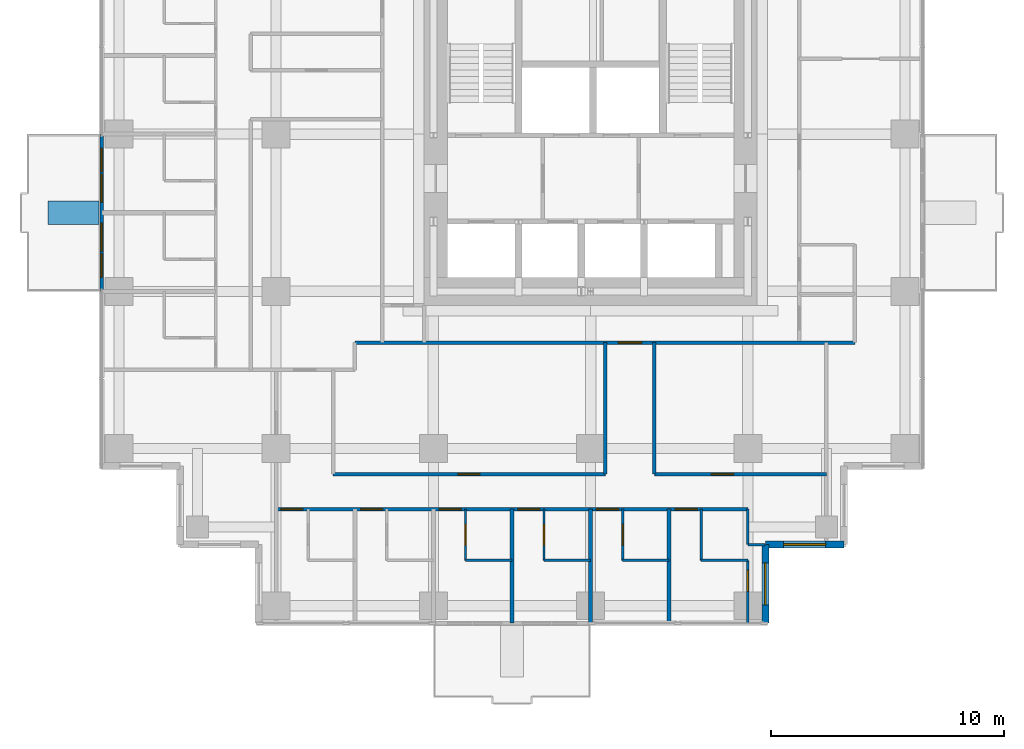
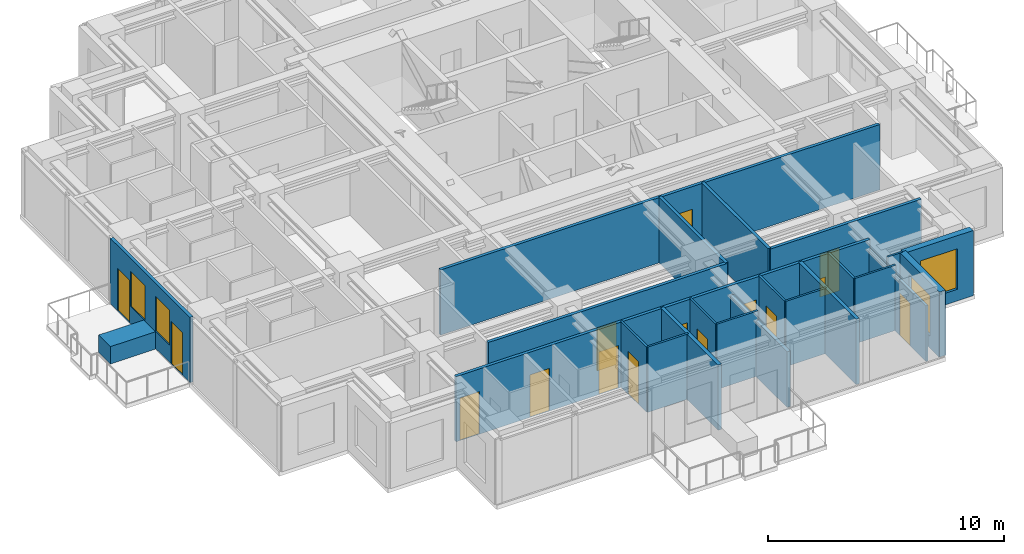
# One storey, part 4 of 8: 24 walls, 15 doors, 4 windows, 19 openings.
"""IFC4 building model written with IfcOpenShell, lengths in metres."""

from ifc_helpers import new_model, si_unit, direction, frame, frame_2d, origin, place, context, subcontext, project, spatial, rectangle, extrude, material, layer, layer_set, type_object, element, fill, save


model = new_model("IFC4")

# Units and contexts
model_context = context("Model", 3, precision=1e-05, world=origin(), true_north=direction((0.0, 1.0)))
body_context = subcontext(model_context, "Body", "Model", "MODEL_VIEW")
ifc_project = project(units=[si_unit("LENGTHUNIT", "METRE"), si_unit("AREAUNIT", "SQUARE_METRE"), si_unit("VOLUMEUNIT", "CUBIC_METRE"), si_unit("PLANEANGLEUNIT", "RADIAN"), si_unit("MASSUNIT", "GRAM", prefix="KILO")], contexts=[model_context])

# Site, building, storey
site_placement = place(None, origin())
site = spatial("IfcSite", under=ifc_project, at=site_placement, CompositionType="ELEMENT")
building_placement = place(site_placement, origin())
building = spatial("IfcBuilding", under=site, at=building_placement, Name="Nyansa Garden Tower", CompositionType="ELEMENT")
storey_placement = place(building_placement, frame((0.0, 0.0, 171.0)))
storey = spatial("IfcBuildingStorey", under=building, at=storey_placement, Name="L46", CompositionType="ELEMENT", Elevation=171.0)

# Walls
ifc_material_1 = material(Name="Dense blockwork, plastered both sides, 55 dB", Category="masonry")
ifc_layer_1 = layer(ifc_material_1, 0.175048828125)
ifc_layer_set_1 = layer_set([ifc_layer_1], Name="Acoustic party wall PW175")
wall_type_1 = type_object("IfcWallType", Name="Acoustic party wall PW175", PredefinedType="PARTITIONING", material=ifc_layer_set_1)
wall_1_placement = place(storey_placement, frame((16.875, -0.73388671875, 0.0), z_axis=(0.0, 0.0, 1.0), x_axis=(0.0, 1.0, 0.0)))
element("IfcWall", 1, at=wall_1_placement, inside=storey, type_object=wall_type_1, Name="Party wall", PredefinedType="PARTITIONING", context=body_context, shape_type="SweptSolid", body=[
    extrude(rectangle(XDim=4.8837890625, YDim=0.175048828125, at=frame_2d((2.44189453125, 0.0))), origin(), (0.0, 0.0, 1.0), 3.375),
])
wall_2_placement = place(storey_placement, frame((20.25, -0.73388671875, 0.0), z_axis=(0.0, 0.0, 1.0), x_axis=(0.0, 1.0, 0.0)))
element("IfcWall", 2, at=wall_2_placement, inside=storey, type_object=wall_type_1, Name="Party wall", PredefinedType="PARTITIONING", context=body_context, shape_type="SweptSolid", body=[
    extrude(rectangle(XDim=4.8837890625, YDim=0.175048828125, at=frame_2d((2.44189453125, 0.0))), origin(), (0.0, 0.0, 1.0), 2.876953125),
])
wall_3_placement = place(storey_placement, frame((23.625, -0.73388671875, 0.0), z_axis=(0.0, 0.0, 1.0), x_axis=(0.0, 1.0, 0.0)))
element("IfcWall", 3, at=wall_3_placement, inside=storey, type_object=wall_type_1, Name="Party wall", PredefinedType="PARTITIONING", context=body_context, shape_type="SweptSolid", body=[
    extrude(rectangle(XDim=4.8837890625, YDim=0.175048828125, at=frame_2d((2.44189453125, 0.0))), origin(), (0.0, 0.0, 1.0), 3.375),
])

# Wall, openings, doors, windows
ifc_material_2 = material(Name="Black aluminium framed glazed screen", Category="aluminium")
ifc_layer_2 = layer(ifc_material_2, 0.14990234375)
ifc_layer_set_2 = layer_set([ifc_layer_2], Name="Balcony screen wall BW150")
wall_type_2 = type_object("IfcWallType", Name="Balcony screen wall BW150", PredefinedType="SOLIDWALL", material=ifc_layer_set_2)
wall_4_placement = place(storey_placement, frame((-0.75, 13.5, 0.0), z_axis=(0.0, 0.0, 1.0), x_axis=(0.0, 1.0, 0.0)))
wall_4 = element("IfcWall", 4, at=wall_4_placement, inside=storey, type_object=wall_type_2, Name="Glazed screen wall L46 W", PredefinedType="SOLIDWALL", context=body_context, shape_type="SweptSolid", body=[
    extrude(rectangle(XDim=6.75, YDim=0.14990234375, at=frame_2d((3.375, 0.0))), origin(), (0.0, 0.0, 1.0), 3.375),
])
opening_1_placement = place(wall_4_placement, frame((0.612548828125, 0.0, 0.0)))
opening_1 = element("IfcOpeningElement", 5, at=opening_1_placement, cuts=wall_4, Name="Opening D20", PredefinedType="OPENING", context=body_context, shape_type="SweptSolid", body=[
    extrude(rectangle(XDim=1.0, YDim=2.199951171875, at=frame_2d((0.5, 1.10009765625))), frame((0.0, 0.0849609375, 0.0), z_axis=(0.0, -1.0, 0.0), x_axis=(1.0, 0.0, 0.0)), (0.0, 0.0, 1.0), 0.169921875),
])
opening_2_placement = place(wall_4_placement, frame((1.72509765625, 0.0, 0.89990234375)))
opening_2 = element("IfcOpeningElement", 6, at=opening_2_placement, cuts=wall_4, Name="Opening W6", PredefinedType="OPENING", context=body_context, shape_type="SweptSolid", body=[
    extrude(rectangle(XDim=1.199951171875, YDim=1.800048828125, at=frame_2d((0.60009765625, 0.89990234375))), frame((0.0, 0.0849609375, 0.0), z_axis=(0.0, -1.0, 0.0), x_axis=(1.0, 0.0, 0.0)), (0.0, 0.0, 1.0), 0.169921875),
])
opening_3_placement = place(wall_4_placement, frame((5.137451171875, 0.0, 0.0)))
opening_3 = element("IfcOpeningElement", 7, at=opening_3_placement, cuts=wall_4, Name="Opening D20", PredefinedType="OPENING", context=body_context, shape_type="SweptSolid", body=[
    extrude(rectangle(XDim=1.0, YDim=2.199951171875, at=frame_2d((0.5, 1.10009765625))), frame((0.0, 0.0849609375, 0.0), z_axis=(0.0, -1.0, 0.0), x_axis=(1.0, 0.0, 0.0)), (0.0, 0.0, 1.0), 0.169921875),
])
opening_4_placement = place(wall_4_placement, frame((3.824951171875, 0.0, 0.89990234375)))
opening_4 = element("IfcOpeningElement", 8, at=opening_4_placement, cuts=wall_4, Name="Opening W6", PredefinedType="OPENING", context=body_context, shape_type="SweptSolid", body=[
    extrude(rectangle(XDim=1.199951171875, YDim=1.800048828125, at=frame_2d((0.60009765625, 0.89990234375))), frame((0.0, 0.0849609375, 0.0), z_axis=(0.0, -1.0, 0.0), x_axis=(1.0, 0.0, 0.0)), (0.0, 0.0, 1.0), 0.169921875),
])
ifc_material_3 = material(Name="Black aluminium framed glazed door", Category="aluminium")
door_type_1 = type_object("IfcDoorType", Name="Balcony door D20 1000x2200", OperationType="NOTDEFINED", PredefinedType="DOOR", material=ifc_material_3)
door_1_placement = place(opening_1_placement, origin())
door_1 = element("IfcDoor", 9, at=door_1_placement, inside=storey, type_object=door_type_1, Name="Balcony door L46", OperationType="SINGLE_SWING_LEFT", OverallHeight=2.199951171875, OverallWidth=1.0, PredefinedType="DOOR", context=body_context, shape_type="SweptSolid", body=[
    extrude(rectangle(XDim=1.0, YDim=2.199951171875, at=frame_2d((0.5, 1.10009765625))), frame((0.0, 0.02490234375, 0.0), z_axis=(0.0, -1.0, 0.0), x_axis=(1.0, 0.0, 0.0)), (0.0, 0.0, 1.0), 0.050048828125),
])
fill(opening_1, door_1)
door_2_placement = place(opening_3_placement, origin())
door_2 = element("IfcDoor", 10, at=door_2_placement, inside=storey, type_object=door_type_1, Name="Balcony door L46", OperationType="SINGLE_SWING_RIGHT", OverallHeight=2.199951171875, OverallWidth=1.0, PredefinedType="DOOR", context=body_context, shape_type="SweptSolid", body=[
    extrude(rectangle(XDim=1.0, YDim=2.199951171875, at=frame_2d((0.5, 1.10009765625))), frame((0.0, 0.02490234375, 0.0), z_axis=(0.0, -1.0, 0.0), x_axis=(1.0, 0.0, 0.0)), (0.0, 0.0, 1.0), 0.050048828125),
])
fill(opening_3, door_2)
ifc_material_4 = material(Name="Black aluminium frame, dark tinted double glazing", Category="aluminium")
window_type_1 = type_object("IfcWindowType", Name="Balcony window W6 1200x1800", PartitioningType="SINGLE_PANEL", PredefinedType="WINDOW", material=ifc_material_4)
window_1_placement = place(opening_2_placement, origin())
window_1 = element("IfcWindow", 11, at=window_1_placement, inside=storey, type_object=window_type_1, Name="Window L46", OverallHeight=1.800048828125, OverallWidth=1.199951171875, PartitioningType="SINGLE_PANEL", PredefinedType="WINDOW", context=body_context, shape_type="SweptSolid", body=[
    extrude(rectangle(XDim=1.199951171875, YDim=1.800048828125, at=frame_2d((0.60009765625, 0.89990234375))), frame((0.0, 0.030029296875, 0.0), z_axis=(0.0, -1.0, 0.0), x_axis=(1.0, 0.0, 0.0)), (0.0, 0.0, 1.0), 0.06005859375),
])
fill(opening_2, window_1)
window_2_placement = place(opening_4_placement, origin())
window_2 = element("IfcWindow", 12, at=window_2_placement, inside=storey, type_object=window_type_1, Name="Window L46", OverallHeight=1.800048828125, OverallWidth=1.199951171875, PartitioningType="SINGLE_PANEL", PredefinedType="WINDOW", context=body_context, shape_type="SweptSolid", body=[
    extrude(rectangle(XDim=1.199951171875, YDim=1.800048828125, at=frame_2d((0.60009765625, 0.89990234375))), frame((0.0, 0.030029296875, 0.0), z_axis=(0.0, -1.0, 0.0), x_axis=(1.0, 0.0, 0.0)), (0.0, 0.0, 1.0), 0.06005859375),
])
fill(opening_4, window_2)

# Wall, openings, doors
ifc_material_5 = material(Name="Blockwork, plastered both sides", Category="masonry")
ifc_layer_3 = layer(ifc_material_5, 0.14990234375)
ifc_layer_set_3 = layer_set([ifc_layer_3], Name="Partition PW150")
wall_type_3 = type_object("IfcWallType", Name="Partition PW150", PredefinedType="PARTITIONING", material=ifc_layer_set_3)
wall_5_placement = place(storey_placement, frame((6.75, 4.14990234375, 0.0), z_axis=(0.0, 0.0, 1.0), x_axis=(1.0, 0.0, 0.0)))
wall_5 = element("IfcWall", 13, at=wall_5_placement, inside=storey, type_object=wall_type_3, Name="Partition", PredefinedType="PARTITIONING", context=body_context, shape_type="SweptSolid", body=[
    extrude(rectangle(XDim=20.25, YDim=0.14990234375, at=frame_2d((10.125, 0.0))), origin(), (0.0, 0.0, 1.0), 3.375),
])
opening_5_placement = place(wall_5_placement, frame((0.199951171875, 0.0, 0.0)))
opening_5 = element("IfcOpeningElement", 14, at=opening_5_placement, cuts=wall_5, Name="Opening D01", PredefinedType="OPENING", context=body_context, shape_type="SweptSolid", body=[
    extrude(rectangle(XDim=0.949951171875, YDim=2.199951171875, at=frame_2d((0.47509765625, 1.10009765625))), frame((0.0, 0.0849609375, 0.0), z_axis=(0.0, -1.0, 0.0), x_axis=(1.0, 0.0, 0.0)), (0.0, 0.0, 1.0), 0.169921875),
])
opening_6_placement = place(wall_5_placement, frame((3.625, 0.0, 0.0)))
opening_6 = element("IfcOpeningElement", 15, at=opening_6_placement, cuts=wall_5, Name="Opening D01", PredefinedType="OPENING", context=body_context, shape_type="SweptSolid", body=[
    extrude(rectangle(XDim=0.949951171875, YDim=2.199951171875, at=frame_2d((0.47509765625, 1.10009765625))), frame((0.0, 0.0849609375, 0.0), z_axis=(0.0, -1.0, 0.0), x_axis=(1.0, 0.0, 0.0)), (0.0, 0.0, 1.0), 0.169921875),
])
opening_7_placement = place(wall_5_placement, frame((7.0, 0.0, 0.0)))
opening_7 = element("IfcOpeningElement", 16, at=opening_7_placement, cuts=wall_5, Name="Opening D01", PredefinedType="OPENING", context=body_context, shape_type="SweptSolid", body=[
    extrude(rectangle(XDim=0.949951171875, YDim=2.199951171875, at=frame_2d((0.47509765625, 1.10009765625))), frame((0.0, 0.0849609375, 0.0), z_axis=(0.0, -1.0, 0.0), x_axis=(1.0, 0.0, 0.0)), (0.0, 0.0, 1.0), 0.169921875),
])
opening_8_placement = place(wall_5_placement, frame((10.375, 0.0, 0.0)))
opening_8 = element("IfcOpeningElement", 17, at=opening_8_placement, cuts=wall_5, Name="Opening D01", PredefinedType="OPENING", context=body_context, shape_type="SweptSolid", body=[
    extrude(rectangle(XDim=0.949951171875, YDim=2.199951171875, at=frame_2d((0.47509765625, 1.10009765625))), frame((0.0, 0.0849609375, 0.0), z_axis=(0.0, -1.0, 0.0), x_axis=(1.0, 0.0, 0.0)), (0.0, 0.0, 1.0), 0.169921875),
])
opening_9_placement = place(wall_5_placement, frame((13.75, 0.0, 0.0)))
opening_9 = element("IfcOpeningElement", 18, at=opening_9_placement, cuts=wall_5, Name="Opening D01", PredefinedType="OPENING", context=body_context, shape_type="SweptSolid", body=[
    extrude(rectangle(XDim=0.949951171875, YDim=2.199951171875, at=frame_2d((0.47509765625, 1.10009765625))), frame((0.0, 0.0849609375, 0.0), z_axis=(0.0, -1.0, 0.0), x_axis=(1.0, 0.0, 0.0)), (0.0, 0.0, 1.0), 0.169921875),
])
opening_10_placement = place(wall_5_placement, frame((17.125, 0.0, 0.0)))
opening_10 = element("IfcOpeningElement", 19, at=opening_10_placement, cuts=wall_5, Name="Opening D01", PredefinedType="OPENING", context=body_context, shape_type="SweptSolid", body=[
    extrude(rectangle(XDim=0.949951171875, YDim=2.199951171875, at=frame_2d((0.47509765625, 1.10009765625))), frame((0.0, 0.0849609375, 0.0), z_axis=(0.0, -1.0, 0.0), x_axis=(1.0, 0.0, 0.0)), (0.0, 0.0, 1.0), 0.169921875),
])
ifc_material_6 = material(Name="Timber flush door, 30 minute fire resisting", Category="wood")
door_type_2 = type_object("IfcDoorType", Name="Bedroom door D01 950x2200", OperationType="SINGLE_SWING_LEFT", PredefinedType="DOOR", material=ifc_material_6)
door_3_placement = place(opening_5_placement, origin())
door_3 = element("IfcDoor", 20, at=door_3_placement, inside=storey, type_object=door_type_2, Name="Door L46-017", OperationType="SINGLE_SWING_LEFT", OverallHeight=2.199951171875, OverallWidth=0.949951171875, PredefinedType="DOOR", context=body_context, shape_type="SweptSolid", body=[
    extrude(rectangle(XDim=0.949951171875, YDim=2.199951171875, at=frame_2d((0.47509765625, 1.10009765625))), frame((0.0, 0.02490234375, 0.0), z_axis=(0.0, -1.0, 0.0), x_axis=(1.0, 0.0, 0.0)), (0.0, 0.0, 1.0), 0.050048828125),
])
fill(opening_5, door_3)
door_4_placement = place(opening_6_placement, origin())
door_4 = element("IfcDoor", 21, at=door_4_placement, inside=storey, type_object=door_type_2, Name="Door L46-019", OperationType="SINGLE_SWING_LEFT", OverallHeight=2.199951171875, OverallWidth=0.949951171875, PredefinedType="DOOR", context=body_context, shape_type="SweptSolid", body=[
    extrude(rectangle(XDim=0.949951171875, YDim=2.199951171875, at=frame_2d((0.47509765625, 1.10009765625))), frame((0.0, 0.02490234375, 0.0), z_axis=(0.0, -1.0, 0.0), x_axis=(1.0, 0.0, 0.0)), (0.0, 0.0, 1.0), 0.050048828125),
])
fill(opening_6, door_4)
door_5_placement = place(opening_7_placement, origin())
door_5 = element("IfcDoor", 22, at=door_5_placement, inside=storey, type_object=door_type_2, Name="Door L46-021", OperationType="SINGLE_SWING_LEFT", OverallHeight=2.199951171875, OverallWidth=0.949951171875, PredefinedType="DOOR", context=body_context, shape_type="SweptSolid", body=[
    extrude(rectangle(XDim=0.949951171875, YDim=2.199951171875, at=frame_2d((0.47509765625, 1.10009765625))), frame((0.0, 0.02490234375, 0.0), z_axis=(0.0, -1.0, 0.0), x_axis=(1.0, 0.0, 0.0)), (0.0, 0.0, 1.0), 0.050048828125),
])
fill(opening_7, door_5)
door_6_placement = place(opening_8_placement, origin())
door_6 = element("IfcDoor", 23, at=door_6_placement, inside=storey, type_object=door_type_2, Name="Door L46-023", OperationType="SINGLE_SWING_LEFT", OverallHeight=2.199951171875, OverallWidth=0.949951171875, PredefinedType="DOOR", context=body_context, shape_type="SweptSolid", body=[
    extrude(rectangle(XDim=0.949951171875, YDim=2.199951171875, at=frame_2d((0.47509765625, 1.10009765625))), frame((0.0, 0.02490234375, 0.0), z_axis=(0.0, -1.0, 0.0), x_axis=(1.0, 0.0, 0.0)), (0.0, 0.0, 1.0), 0.050048828125),
])
fill(opening_8, door_6)
door_7_placement = place(opening_9_placement, origin())
door_7 = element("IfcDoor", 24, at=door_7_placement, inside=storey, type_object=door_type_2, Name="Door L46-025", OperationType="SINGLE_SWING_LEFT", OverallHeight=2.199951171875, OverallWidth=0.949951171875, PredefinedType="DOOR", context=body_context, shape_type="SweptSolid", body=[
    extrude(rectangle(XDim=0.949951171875, YDim=2.199951171875, at=frame_2d((0.47509765625, 1.10009765625))), frame((0.0, 0.02490234375, 0.0), z_axis=(0.0, -1.0, 0.0), x_axis=(1.0, 0.0, 0.0)), (0.0, 0.0, 1.0), 0.050048828125),
])
fill(opening_9, door_7)
door_8_placement = place(opening_10_placement, origin())
door_8 = element("IfcDoor", 25, at=door_8_placement, inside=storey, type_object=door_type_2, Name="Door L46-027", OperationType="SINGLE_SWING_LEFT", OverallHeight=2.199951171875, OverallWidth=0.949951171875, PredefinedType="DOOR", context=body_context, shape_type="SweptSolid", body=[
    extrude(rectangle(XDim=0.949951171875, YDim=2.199951171875, at=frame_2d((0.47509765625, 1.10009765625))), frame((0.0, 0.02490234375, 0.0), z_axis=(0.0, -1.0, 0.0), x_axis=(1.0, 0.0, 0.0)), (0.0, 0.0, 1.0), 0.050048828125),
])
fill(opening_10, door_8)

# Wall, opening, door
wall_6_placement = place(storey_placement, frame((9.199951171875, 5.64990234375, 0.0), z_axis=(0.0, 0.0, 1.0), x_axis=(1.0, 0.0, 0.0)))
wall_6 = element("IfcWall", 26, at=wall_6_placement, inside=storey, type_object=wall_type_3, Name="Partition", PredefinedType="PARTITIONING", context=body_context, shape_type="SweptSolid", body=[
    extrude(rectangle(XDim=11.6875, YDim=0.14990234375, at=frame_2d((5.84375, 0.0))), origin(), (0.0, 0.0, 1.0), 3.375),
])
opening_11_placement = place(wall_6_placement, frame((5.35009765625, 0.0, 0.0)))
opening_11 = element("IfcOpeningElement", 27, at=opening_11_placement, cuts=wall_6, Name="Opening D01", PredefinedType="OPENING", context=body_context, shape_type="SweptSolid", body=[
    extrude(rectangle(XDim=0.949951171875, YDim=2.199951171875, at=frame_2d((0.47509765625, 1.10009765625))), frame((0.0, 0.0849609375, 0.0), z_axis=(0.0, -1.0, 0.0), x_axis=(1.0, 0.0, 0.0)), (0.0, 0.0, 1.0), 0.169921875),
])
door_9_placement = place(opening_11_placement, origin())
door_9 = element("IfcDoor", 28, at=door_9_placement, inside=storey, type_object=door_type_2, Name="Door L46-031", OperationType="SINGLE_SWING_LEFT", OverallHeight=2.199951171875, OverallWidth=0.949951171875, PredefinedType="DOOR", context=body_context, shape_type="SweptSolid", body=[
    extrude(rectangle(XDim=0.949951171875, YDim=2.199951171875, at=frame_2d((0.47509765625, 1.10009765625))), frame((0.0, 0.02490234375, 0.0), z_axis=(0.0, -1.0, 0.0), x_axis=(1.0, 0.0, 0.0)), (0.0, 0.0, 1.0), 0.050048828125),
])
fill(opening_11, door_9)

wall_7_placement = place(storey_placement, frame((10.125, 11.300048828125, 0.0), z_axis=(0.0, 0.0, 1.0), x_axis=(1.0, 0.0, 0.0)))
wall_7 = element("IfcWall", 29, at=wall_7_placement, inside=storey, type_object=wall_type_3, Name="Partition", PredefinedType="PARTITIONING", context=body_context, shape_type="SweptSolid", body=[
    extrude(rectangle(XDim=21.47509765625, YDim=0.14990234375, at=frame_2d((10.737548828125, 0.0))), origin(), (0.0, 0.0, 1.0), 3.375),
])
opening_12_placement = place(wall_7_placement, frame((11.3125, 0.0, 0.0)))
opening_12 = element("IfcOpeningElement", 30, at=opening_12_placement, cuts=wall_7, Name="Opening D03", PredefinedType="OPENING", context=body_context, shape_type="SweptSolid", body=[
    extrude(rectangle(XDim=1.0, YDim=2.199951171875, at=frame_2d((0.5, 1.10009765625))), frame((0.0, 0.0849609375, 0.0), z_axis=(0.0, -1.0, 0.0), x_axis=(1.0, 0.0, 0.0)), (0.0, 0.0, 1.0), 0.169921875),
])
ifc_material_7 = material(Name="Timber flush door, 60 minute fire resisting", Category="wood")
door_type_3 = type_object("IfcDoorType", Name="Cluster entrance door D03 1000x2200", OperationType="SINGLE_SWING_LEFT", PredefinedType="DOOR", material=ifc_material_7)
door_10_placement = place(opening_12_placement, origin())
door_10 = element("IfcDoor", 31, at=door_10_placement, inside=storey, type_object=door_type_3, Name="Door L46-030", OperationType="SINGLE_SWING_LEFT", OverallHeight=2.199951171875, OverallWidth=1.0, PredefinedType="DOOR", context=body_context, shape_type="SweptSolid", body=[
    extrude(rectangle(XDim=1.0, YDim=2.199951171875, at=frame_2d((0.5, 1.10009765625))), frame((0.0, 0.02490234375, 0.0), z_axis=(0.0, -1.0, 0.0), x_axis=(1.0, 0.0, 0.0)), (0.0, 0.0, 1.0), 0.050048828125),
])
fill(opening_12, door_10)

# Wall
wall_8_placement = place(storey_placement, frame((20.886962890625, 5.64990234375, 0.0), z_axis=(0.0, 0.0, 1.0), x_axis=(0.0, 1.0, 0.0)))
element("IfcWall", 32, at=wall_8_placement, inside=storey, type_object=wall_type_3, Name="Partition", PredefinedType="PARTITIONING", context=body_context, shape_type="SweptSolid", body=[
    extrude(rectangle(XDim=5.650146484375, YDim=0.14990234375, at=frame_2d((2.8251953125, 0.0))), origin(), (0.0, 0.0, 1.0), 3.375),
])

# Wall, opening, door
wall_9_placement = place(storey_placement, frame((22.987548828125, 5.64990234375, 0.0), z_axis=(0.0, 0.0, 1.0), x_axis=(1.0, 0.0, 0.0)))
wall_9 = element("IfcWall", 33, at=wall_9_placement, inside=storey, type_object=wall_type_3, Name="Partition", PredefinedType="PARTITIONING", context=body_context, shape_type="SweptSolid", body=[
    extrude(rectangle(XDim=7.387451171875, YDim=0.14990234375, at=frame_2d((3.69384765625, 0.0))), origin(), (0.0, 0.0, 1.0), 3.375),
])
opening_13_placement = place(wall_9_placement, frame((2.449951171875, 0.0, 0.0)))
opening_13 = element("IfcOpeningElement", 34, at=opening_13_placement, cuts=wall_9, Name="Opening D01", PredefinedType="OPENING", context=body_context, shape_type="SweptSolid", body=[
    extrude(rectangle(XDim=0.949951171875, YDim=2.199951171875, at=frame_2d((0.47509765625, 1.10009765625))), frame((0.0, 0.0849609375, 0.0), z_axis=(0.0, -1.0, 0.0), x_axis=(1.0, 0.0, 0.0)), (0.0, 0.0, 1.0), 0.169921875),
])
door_11_placement = place(opening_13_placement, origin())
door_11 = element("IfcDoor", 35, at=door_11_placement, inside=storey, type_object=door_type_2, Name="Door L46-032", OperationType="SINGLE_SWING_LEFT", OverallHeight=2.199951171875, OverallWidth=0.949951171875, PredefinedType="DOOR", context=body_context, shape_type="SweptSolid", body=[
    extrude(rectangle(XDim=0.949951171875, YDim=2.199951171875, at=frame_2d((0.47509765625, 1.10009765625))), frame((0.0, 0.02490234375, 0.0), z_axis=(0.0, -1.0, 0.0), x_axis=(1.0, 0.0, 0.0)), (0.0, 0.0, 1.0), 0.050048828125),
])
fill(opening_13, door_11)

# Wall
wall_10_placement = place(storey_placement, frame((22.988037109375, 5.64990234375, 0.0), z_axis=(0.0, 0.0, 1.0), x_axis=(0.0, 1.0, 0.0)))
element("IfcWall", 36, at=wall_10_placement, inside=storey, type_object=wall_type_3, Name="Partition", PredefinedType="PARTITIONING", context=body_context, shape_type="SweptSolid", body=[
    extrude(rectangle(XDim=5.650146484375, YDim=0.14990234375, at=frame_2d((2.8251953125, 0.0))), origin(), (0.0, 0.0, 1.0), 3.375),
])

# Wall, opening, window
ifc_material_8 = material(Name="Turquoise glazed tile on concrete blockwork", Category="masonry")
ifc_layer_4 = layer(ifc_material_8, 0.300048828125)
ifc_layer_set_4 = layer_set([ifc_layer_4], Name="Tiled corner wall TW300")
wall_type_4 = type_object("IfcWallType", Name="Tiled corner wall TW300", PredefinedType="SOLIDWALL", material=ifc_layer_set_4)
wall_11_placement = place(storey_placement, frame((27.75, -0.75, 0.0), z_axis=(0.0, 0.0, 1.0), x_axis=(0.0, 1.0, 0.0)))
wall_11 = element("IfcWall", 37, at=wall_11_placement, inside=storey, type_object=wall_type_4, Name="Tiled corner wall L46", PredefinedType="SOLIDWALL", context=body_context, shape_type="SweptSolid", body=[
    extrude(rectangle(XDim=3.375, YDim=0.300048828125, at=frame_2d((1.6875, 0.0))), origin(), (0.0, 0.0, 1.0), 3.375),
])
opening_14_placement = place(wall_11_placement, frame((0.78759765625, 0.0, 0.60009765625)))
opening_14 = element("IfcOpeningElement", 38, at=opening_14_placement, cuts=wall_11, Name="Opening W2", PredefinedType="OPENING", context=body_context, shape_type="SweptSolid", body=[
    extrude(rectangle(XDim=1.800048828125, YDim=2.10009765625, at=frame_2d((0.89990234375, 1.050048828125))), frame((0.0, 0.159912109375, 0.0), z_axis=(0.0, -1.0, 0.0), x_axis=(1.0, 0.0, 0.0)), (0.0, 0.0, 1.0), 0.320068359375),
])
ifc_material_9 = material(Name="Black aluminium frame, dark tinted double glazing", Category="aluminium")
window_type_2 = type_object("IfcWindowType", Name="Window W2 1800x2100", PartitioningType="SINGLE_PANEL", PredefinedType="WINDOW", material=ifc_material_9)
window_3_placement = place(opening_14_placement, origin())
window_3 = element("IfcWindow", 39, at=window_3_placement, inside=storey, type_object=window_type_2, Name="Corner window L46", OverallHeight=2.10009765625, OverallWidth=1.800048828125, PartitioningType="SINGLE_PANEL", PredefinedType="WINDOW", context=body_context, shape_type="SweptSolid", body=[
    extrude(rectangle(XDim=1.800048828125, YDim=2.10009765625, at=frame_2d((0.89990234375, 1.050048828125))), frame((0.0, 0.030029296875, 0.0), z_axis=(0.0, -1.0, 0.0), x_axis=(1.0, 0.0, 0.0)), (0.0, 0.0, 1.0), 0.06005859375),
])
fill(opening_14, window_3)

wall_12_placement = place(storey_placement, frame((27.75, 2.625, 0.0), z_axis=(0.0, 0.0, 1.0), x_axis=(1.0, 0.0, 0.0)))
wall_12 = element("IfcWall", 40, at=wall_12_placement, inside=storey, type_object=wall_type_4, Name="Tiled corner wall L46", PredefinedType="SOLIDWALL", context=body_context, shape_type="SweptSolid", body=[
    extrude(rectangle(XDim=3.375, YDim=0.300048828125, at=frame_2d((1.6875, 0.0))), origin(), (0.0, 0.0, 1.0), 3.375),
])
opening_15_placement = place(wall_12_placement, frame((0.78759765625, 0.0, 0.60009765625)))
opening_15 = element("IfcOpeningElement", 41, at=opening_15_placement, cuts=wall_12, Name="Opening W2", PredefinedType="OPENING", context=body_context, shape_type="SweptSolid", body=[
    extrude(rectangle(XDim=1.800048828125, YDim=2.10009765625, at=frame_2d((0.89990234375, 1.050048828125))), frame((0.0, 0.159912109375, 0.0), z_axis=(0.0, -1.0, 0.0), x_axis=(1.0, 0.0, 0.0)), (0.0, 0.0, 1.0), 0.320068359375),
])
window_4_placement = place(opening_15_placement, origin())
window_4 = element("IfcWindow", 42, at=window_4_placement, inside=storey, type_object=window_type_2, Name="Corner window L46", OverallHeight=2.10009765625, OverallWidth=1.800048828125, PartitioningType="SINGLE_PANEL", PredefinedType="WINDOW", context=body_context, shape_type="SweptSolid", body=[
    extrude(rectangle(XDim=1.800048828125, YDim=2.10009765625, at=frame_2d((0.89990234375, 1.050048828125))), frame((0.0, 0.030029296875, 0.0), z_axis=(0.0, -1.0, 0.0), x_axis=(1.0, 0.0, 0.0)), (0.0, 0.0, 1.0), 0.06005859375),
])
fill(opening_15, window_4)

# Wall
ifc_material_10 = material(Name="Concrete C40/50 planter, waterproofed", Category="concrete")
ifc_layer_5 = layer(ifc_material_10, 1.0)
ifc_layer_set_5 = layer_set([ifc_layer_5], Name="Tree planter TP1")
wall_type_5 = type_object("IfcWallType", Name="Tree planter TP1", PredefinedType="USERDEFINED", material=ifc_layer_set_5)
wall_13_placement = place(storey_placement, frame((-0.85009765625, 16.875, 0.0), z_axis=(0.0, 0.0, 1.0), x_axis=(-1.0, 0.0, 0.0)))
element("IfcWall", 43, at=wall_13_placement, inside=storey, type_object=wall_type_5, Name="Tree planter L46", ObjectType="TREE PLANTER", PredefinedType="USERDEFINED", context=body_context, shape_type="SweptSolid", body=[
    extrude(rectangle(XDim=2.199951171875, YDim=1.0, at=frame_2d((1.10009765625, 0.0))), origin(), (0.0, 0.0, 1.0), 0.89990234375),
])

# Wall, opening, door
ifc_material_11 = material(Name="Moisture resistant board on steel studs, tiled", Category="steel")
ifc_layer_6 = layer(ifc_material_11, 0.10009765625)
ifc_layer_set_6 = layer_set([ifc_layer_6], Name="Wet wall PW100")
wall_type_6 = type_object("IfcWallType", Name="Wet wall PW100", PredefinedType="PARTITIONING", material=ifc_layer_set_6)
wall_14_placement = place(storey_placement, frame((14.875, 1.949951171875, 0.0), z_axis=(0.0, 0.0, 1.0), x_axis=(0.0, 1.0, 0.0)))
wall_14 = element("IfcWall", 44, at=wall_14_placement, inside=storey, type_object=wall_type_6, Name="Wet wall", PredefinedType="PARTITIONING", context=body_context, shape_type="SweptSolid", body=[
    extrude(rectangle(XDim=2.199951171875, YDim=0.10009765625, at=frame_2d((1.10009765625, 0.0))), origin(), (0.0, 0.0, 1.0), 3.375),
])
opening_16_placement = place(wall_14_placement, frame((0.64990234375, 0.0, 0.0)))
opening_16 = element("IfcOpeningElement", 45, at=opening_16_placement, cuts=wall_14, Name="Opening D02", PredefinedType="OPENING", context=body_context, shape_type="SweptSolid", body=[
    extrude(rectangle(XDim=0.89990234375, YDim=2.199951171875, at=frame_2d((0.449951171875, 1.10009765625))), frame((0.0, 0.06005859375, 0.0), z_axis=(0.0, -1.0, 0.0), x_axis=(1.0, 0.0, 0.0)), (0.0, 0.0, 1.0), 0.1201171875),
])
ifc_material_12 = material(Name="Timber flush door", Category="wood")
door_type_4 = type_object("IfcDoorType", Name="En-suite door D02 900x2200", OperationType="SINGLE_SWING_RIGHT", PredefinedType="DOOR", material=ifc_material_12)
door_12_placement = place(opening_16_placement, origin())
door_12 = element("IfcDoor", 46, at=door_12_placement, inside=storey, type_object=door_type_4, Name="Door L46-022", OperationType="SINGLE_SWING_RIGHT", OverallHeight=2.199951171875, OverallWidth=0.89990234375, PredefinedType="DOOR", context=body_context, shape_type="SweptSolid", body=[
    extrude(rectangle(XDim=0.89990234375, YDim=2.199951171875, at=frame_2d((0.449951171875, 1.10009765625))), frame((0.0, 0.02490234375, 0.0), z_axis=(0.0, -1.0, 0.0), x_axis=(1.0, 0.0, 0.0)), (0.0, 0.0, 1.0), 0.050048828125),
])
fill(opening_16, door_12)

# Wall
wall_15_placement = place(storey_placement, frame((14.875, 1.949951171875, 0.0), z_axis=(0.0, 0.0, 1.0), x_axis=(1.0, 0.0, 0.0)))
element("IfcWall", 47, at=wall_15_placement, inside=storey, type_object=wall_type_6, Name="Wet wall", PredefinedType="PARTITIONING", context=body_context, shape_type="SweptSolid", body=[
    extrude(rectangle(XDim=2.0, YDim=0.10009765625, at=frame_2d((1.0, 0.0))), origin(), (0.0, 0.0, 1.0), 3.375),
])

# Wall, opening, door
wall_16_placement = place(storey_placement, frame((18.25, 1.949951171875, 0.0), z_axis=(0.0, 0.0, 1.0), x_axis=(0.0, 1.0, 0.0)))
wall_16 = element("IfcWall", 48, at=wall_16_placement, inside=storey, type_object=wall_type_6, Name="Wet wall", PredefinedType="PARTITIONING", context=body_context, shape_type="SweptSolid", body=[
    extrude(rectangle(XDim=2.199951171875, YDim=0.10009765625, at=frame_2d((1.10009765625, 0.0))), origin(), (0.0, 0.0, 1.0), 3.375),
])
opening_17_placement = place(wall_16_placement, frame((0.64990234375, 0.0, 0.0)))
opening_17 = element("IfcOpeningElement", 49, at=opening_17_placement, cuts=wall_16, Name="Opening D02", PredefinedType="OPENING", context=body_context, shape_type="SweptSolid", body=[
    extrude(rectangle(XDim=0.89990234375, YDim=2.199951171875, at=frame_2d((0.449951171875, 1.10009765625))), frame((0.0, 0.06005859375, 0.0), z_axis=(0.0, -1.0, 0.0), x_axis=(1.0, 0.0, 0.0)), (0.0, 0.0, 1.0), 0.1201171875),
])
door_13_placement = place(opening_17_placement, origin())
door_13 = element("IfcDoor", 50, at=door_13_placement, inside=storey, type_object=door_type_4, Name="Door L46-024", OperationType="SINGLE_SWING_RIGHT", OverallHeight=2.199951171875, OverallWidth=0.89990234375, PredefinedType="DOOR", context=body_context, shape_type="SweptSolid", body=[
    extrude(rectangle(XDim=0.89990234375, YDim=2.199951171875, at=frame_2d((0.449951171875, 1.10009765625))), frame((0.0, 0.02490234375, 0.0), z_axis=(0.0, -1.0, 0.0), x_axis=(1.0, 0.0, 0.0)), (0.0, 0.0, 1.0), 0.050048828125),
])
fill(opening_17, door_13)

# Wall
wall_17_placement = place(storey_placement, frame((18.25, 1.949951171875, 0.0), z_axis=(0.0, 0.0, 1.0), x_axis=(1.0, 0.0, 0.0)))
element("IfcWall", 51, at=wall_17_placement, inside=storey, type_object=wall_type_6, Name="Wet wall", PredefinedType="PARTITIONING", context=body_context, shape_type="SweptSolid", body=[
    extrude(rectangle(XDim=2.0, YDim=0.10009765625, at=frame_2d((1.0, 0.0))), origin(), (0.0, 0.0, 1.0), 3.375),
])

# Wall, opening, door
wall_18_placement = place(storey_placement, frame((21.625, 1.949951171875, 0.0), z_axis=(0.0, 0.0, 1.0), x_axis=(0.0, 1.0, 0.0)))
wall_18 = element("IfcWall", 52, at=wall_18_placement, inside=storey, type_object=wall_type_6, Name="Wet wall", PredefinedType="PARTITIONING", context=body_context, shape_type="SweptSolid", body=[
    extrude(rectangle(XDim=2.199951171875, YDim=0.10009765625, at=frame_2d((1.10009765625, 0.0))), origin(), (0.0, 0.0, 1.0), 3.375),
])
opening_18_placement = place(wall_18_placement, frame((0.64990234375, 0.0, 0.0)))
opening_18 = element("IfcOpeningElement", 53, at=opening_18_placement, cuts=wall_18, Name="Opening D02", PredefinedType="OPENING", context=body_context, shape_type="SweptSolid", body=[
    extrude(rectangle(XDim=0.89990234375, YDim=2.199951171875, at=frame_2d((0.449951171875, 1.10009765625))), frame((0.0, 0.06005859375, 0.0), z_axis=(0.0, -1.0, 0.0), x_axis=(1.0, 0.0, 0.0)), (0.0, 0.0, 1.0), 0.1201171875),
])
door_14_placement = place(opening_18_placement, origin())
door_14 = element("IfcDoor", 54, at=door_14_placement, inside=storey, type_object=door_type_4, Name="Door L46-026", OperationType="SINGLE_SWING_RIGHT", OverallHeight=2.199951171875, OverallWidth=0.89990234375, PredefinedType="DOOR", context=body_context, shape_type="SweptSolid", body=[
    extrude(rectangle(XDim=0.89990234375, YDim=2.199951171875, at=frame_2d((0.449951171875, 1.10009765625))), frame((0.0, 0.02490234375, 0.0), z_axis=(0.0, -1.0, 0.0), x_axis=(1.0, 0.0, 0.0)), (0.0, 0.0, 1.0), 0.050048828125),
])
fill(opening_18, door_14)

# Walls
wall_19_placement = place(storey_placement, frame((21.625, 1.949951171875, 0.0), z_axis=(0.0, 0.0, 1.0), x_axis=(1.0, 0.0, 0.0)))
element("IfcWall", 55, at=wall_19_placement, inside=storey, type_object=wall_type_6, Name="Wet wall", PredefinedType="PARTITIONING", context=body_context, shape_type="SweptSolid", body=[
    extrude(rectangle(XDim=2.0, YDim=0.10009765625, at=frame_2d((1.0, 0.0))), origin(), (0.0, 0.0, 1.0), 3.375),
])
wall_20_placement = place(storey_placement, frame((25.0, 1.949951171875, 0.0), z_axis=(0.0, 0.0, 1.0), x_axis=(0.0, 1.0, 0.0)))
element("IfcWall", 56, at=wall_20_placement, inside=storey, type_object=wall_type_6, Name="Wet wall", PredefinedType="PARTITIONING", context=body_context, shape_type="SweptSolid", body=[
    extrude(rectangle(XDim=2.199951171875, YDim=0.10009765625, at=frame_2d((1.10009765625, 0.0))), origin(), (0.0, 0.0, 1.0), 3.375),
])
wall_21_placement = place(storey_placement, frame((25.0, 1.949951171875, 0.0), z_axis=(0.0, 0.0, 1.0), x_axis=(1.0, 0.0, 0.0)))
element("IfcWall", 57, at=wall_21_placement, inside=storey, type_object=wall_type_6, Name="Wet wall", PredefinedType="PARTITIONING", context=body_context, shape_type="SweptSolid", body=[
    extrude(rectangle(XDim=2.0, YDim=0.10009765625, at=frame_2d((1.0, 0.0))), origin(), (0.0, 0.0, 1.0), 3.375),
])

# Wall, opening, door
wall_22_placement = place(storey_placement, frame((27.0, -0.73388671875, 0.0), z_axis=(0.0, 0.0, 1.0), x_axis=(0.0, 1.0, 0.0)))
wall_22 = element("IfcWall", 58, at=wall_22_placement, inside=storey, type_object=wall_type_6, Name="Wet wall", PredefinedType="PARTITIONING", context=body_context, shape_type="SweptSolid", body=[
    extrude(rectangle(XDim=2.683837890625, YDim=0.10009765625, at=frame_2d((1.341796875, 0.0))), origin(), (0.0, 0.0, 1.0), 2.876953125),
])
opening_19_placement = place(wall_22_placement, frame((1.35009765625, 0.0, 0.0)))
opening_19 = element("IfcOpeningElement", 59, at=opening_19_placement, cuts=wall_22, Name="Opening D02", PredefinedType="OPENING", context=body_context, shape_type="SweptSolid", body=[
    extrude(rectangle(XDim=0.89990234375, YDim=2.199951171875, at=frame_2d((0.449951171875, 1.10009765625))), frame((0.0, 0.06005859375, 0.0), z_axis=(0.0, -1.0, 0.0), x_axis=(1.0, 0.0, 0.0)), (0.0, 0.0, 1.0), 0.1201171875),
])
door_15_placement = place(opening_19_placement, origin())
door_15 = element("IfcDoor", 60, at=door_15_placement, inside=storey, type_object=door_type_4, Name="Door L46-028", OperationType="SINGLE_SWING_RIGHT", OverallHeight=2.199951171875, OverallWidth=0.89990234375, PredefinedType="DOOR", context=body_context, shape_type="SweptSolid", body=[
    extrude(rectangle(XDim=0.89990234375, YDim=2.199951171875, at=frame_2d((0.449951171875, 1.10009765625))), frame((0.0, 0.02490234375, 0.0), z_axis=(0.0, -1.0, 0.0), x_axis=(1.0, 0.0, 0.0)), (0.0, 0.0, 1.0), 0.050048828125),
])
fill(opening_19, door_15)

# Walls
wall_23_placement = place(storey_placement, frame((27.0, 2.625, 0.0), z_axis=(0.0, 0.0, 1.0), x_axis=(0.0, 1.0, 0.0)))
element("IfcWall", 61, at=wall_23_placement, inside=storey, type_object=wall_type_6, Name="Wet wall", PredefinedType="PARTITIONING", context=body_context, shape_type="SweptSolid", body=[
    extrude(rectangle(XDim=1.52490234375, YDim=0.10009765625, at=frame_2d((0.762451171875, 0.0))), origin(), (0.0, 0.0, 1.0), 2.876953125),
])
wall_24_placement = place(storey_placement, frame((27.0, 2.625, 0.0), z_axis=(0.0, 0.0, 1.0), x_axis=(1.0, 0.0, 0.0)))
element("IfcWall", 62, at=wall_24_placement, inside=storey, type_object=wall_type_6, Name="Wet wall", PredefinedType="PARTITIONING", context=body_context, shape_type="SweptSolid", body=[
    extrude(rectangle(XDim=0.73388671875, YDim=0.10009765625, at=frame_2d((0.366943359375, 0.0))), origin(), (0.0, 0.0, 1.0), 3.375),
])

save(model, "model.ifc")
